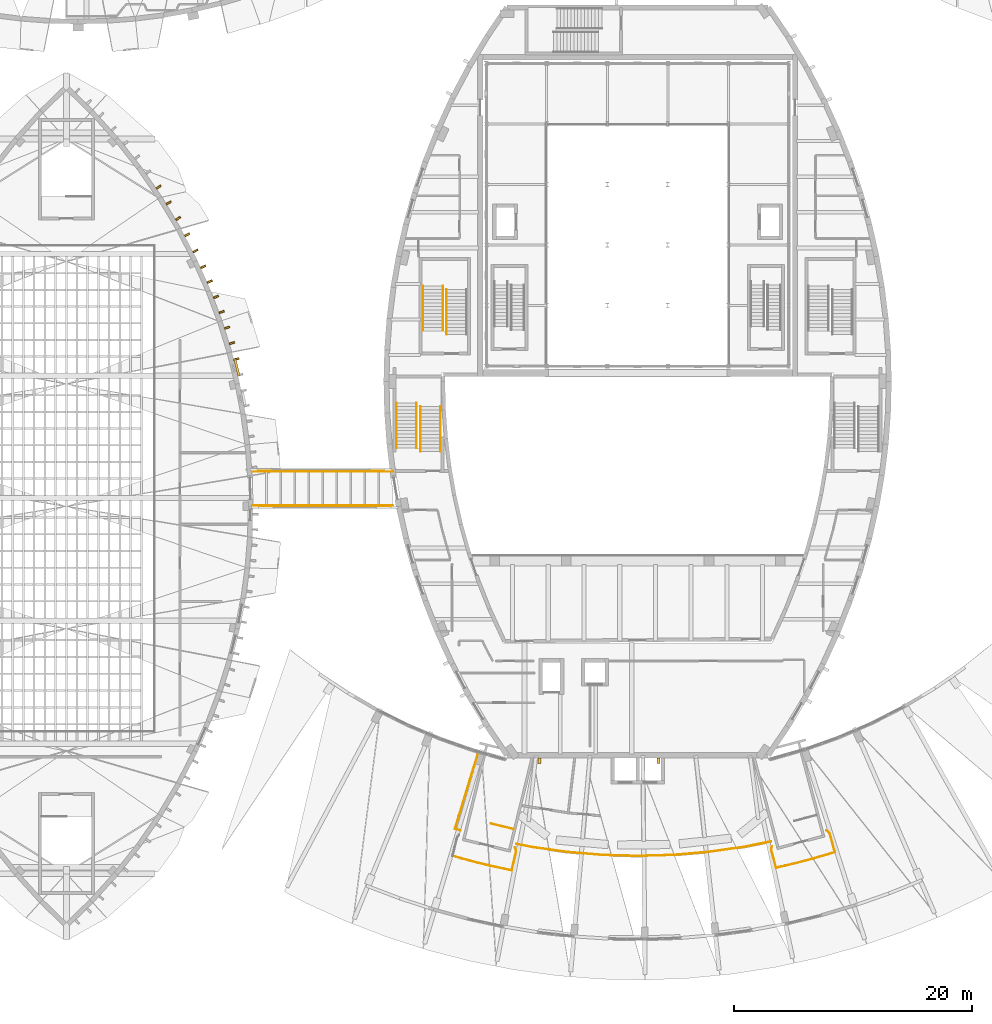
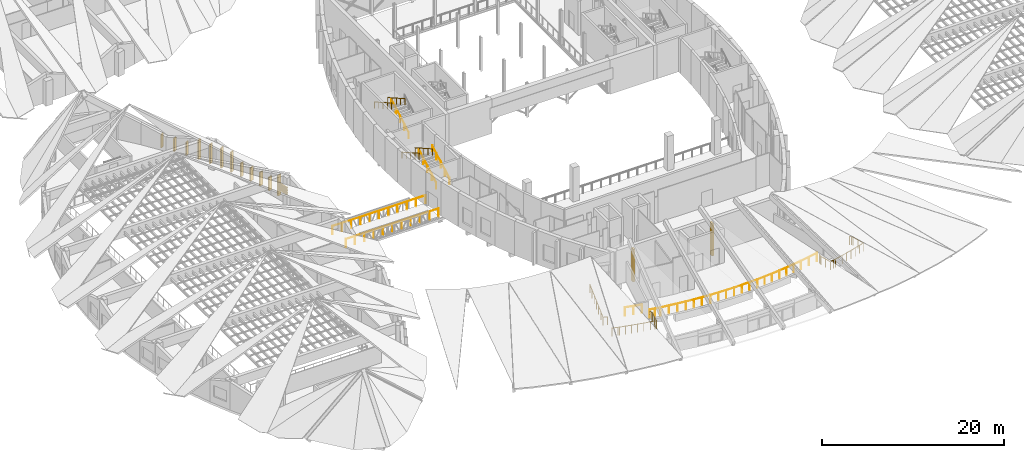
# One storey, part 52 of 56: 19 shading devices, 14 railings.
"""IFC4 building model written with IfcOpenShell, lengths in metres."""

from ifc_helpers import new_model, si_unit, direction, frame, origin, origin_2d, place, context, subcontext, project, spatial, rectangle, circle, extrude, material, layer, layer_set, type_object, element, save


model = new_model("IFC4")

# Units and contexts
model_context = context("Model", 3, precision=1e-05, world=origin(), true_north=direction((0.0, 1.0)))
body_context = subcontext(model_context, "Body", "Model", "MODEL_VIEW")
ifc_project = project(units=[si_unit("LENGTHUNIT", "METRE"), si_unit("AREAUNIT", "SQUARE_METRE"), si_unit("VOLUMEUNIT", "CUBIC_METRE"), si_unit("PLANEANGLEUNIT", "RADIAN"), si_unit("MASSUNIT", "GRAM", prefix="KILO")], contexts=[model_context])

# Site, building, storey
site_placement = place(None, origin())
site = spatial("IfcSite", under=ifc_project, at=site_placement, CompositionType="ELEMENT")
building_placement = place(site_placement, origin())
building = spatial("IfcBuilding", under=site, at=building_placement, Name="Tide Square Theatres", CompositionType="ELEMENT")
storey_placement = place(building_placement, frame((0.0, 0.0, 10.199951171875)))
storey = spatial("IfcBuildingStorey", under=building, at=storey_placement, Name="L02", CompositionType="ELEMENT", Elevation=10.199951171875)

# Shading devices
ifc_material_1 = material(Name="Aluminium 6063-T5", Category="aluminium")
ifc_layer_1 = layer(ifc_material_1, 0.0400390625)
ifc_layer_set_1 = layer_set([ifc_layer_1], Name="Aluminium 6063-T5")
shading_device_type_1 = type_object("IfcShadingDeviceType", Name="Aluminium louvre blade 200", PredefinedType="USERDEFINED", material=ifc_layer_set_1)
for number, where, z_axis, x_axis, name in (
    (1, (50.331787109375, 56.18505859375, 0.880126953125), (0.0, 0.0, 1.0), (-0.243039435287, 0.97001640857, 0.0), "Studio Theatre plant room louvre"),
    (2, (50.331787109375, 56.18505859375, 1.10009765625), (0.0, 0.0, 1.0), (-0.243039435287, 0.97001640857, 0.0), "Studio Theatre plant room louvre"),
    (3, (50.331787109375, 56.18505859375, 1.320068359375), (0.0, 0.0, 1.0), (-0.243039435287, 0.97001640857, 0.0), "Studio Theatre plant room louvre"),
    (4, (50.331787109375, 56.18505859375, 1.5400390625), (0.0, 0.0, 1.0), (-0.243039435287, 0.97001640857, 0.0), "Studio Theatre plant room louvre"),
    (5, (50.331787109375, 56.18505859375, 1.760009765625), (0.0, 0.0, 1.0), (-0.243039435287, 0.97001640857, 0.0), "Studio Theatre plant room louvre"),
):
    element("IfcShadingDevice", number, at=place(storey_placement, frame(where, z_axis=z_axis, x_axis=x_axis)), inside=storey, type_object=shading_device_type_1, Name=name, ObjectType="LOUVRE", PredefinedType="USERDEFINED", context=body_context, shape_type="SweptSolid", body=[
        extrude(rectangle(XDim=1.5, YDim=0.199951171875, at=origin_2d()), origin(), (0.0, 0.0, 1.0), 0.0400390625),
    ])
ifc_material_2 = material(Name="Concrete C40", Category="concrete")
ifc_layer_2 = layer(ifc_material_2, 0.14990234375)
ifc_layer_set_2 = layer_set([ifc_layer_2], Name="Concrete C40")
shading_device_type_2 = type_object("IfcShadingDeviceType", Name="Concrete fin 450", PredefinedType="USERDEFINED", material=ifc_layer_set_2)
for number, where, z_axis, x_axis, name in (
    (6, (75.77587890625, 23.132568359375, 0.0), (0.0, 0.0, 1.0), (1.0, 0.0, 0.0), "Concrete fin"),
    (7, (85.77587890625, 23.132568359375, 0.0), (0.0, 0.0, 1.0), (1.0, 0.0, 0.0), "Concrete fin"),
):
    element("IfcShadingDevice", number, at=place(storey_placement, frame(where, z_axis=z_axis, x_axis=x_axis)), inside=storey, type_object=shading_device_type_2, Name=name, ObjectType="BRISE-SOLEIL FIN", PredefinedType="USERDEFINED", context=body_context, shape_type="SweptSolid", body=[
        extrude(rectangle(XDim=0.25, YDim=0.449951171875, at=origin_2d()), origin(), (0.0, 0.0, 1.0), 4.39990234375),
    ])
shading_device_1_placement = place(storey_placement, frame((50.2880859375, 56.873779296875, 0.0), z_axis=(0.0, 0.0, 1.0), x_axis=(-0.243039435287, 0.97001640857, 0.0)))
element("IfcShadingDevice", 8, at=shading_device_1_placement, inside=storey, type_object=shading_device_type_2, Name="Concrete fin", ObjectType="BRISE-SOLEIL FIN", PredefinedType="USERDEFINED", context=body_context, shape_type="SweptSolid", body=[
    extrude(rectangle(XDim=0.14990234375, YDim=0.449951171875, at=origin_2d()), origin(), (0.0, 0.0, 1.0), 2.72509765625),
])
for number, where, z_axis, x_axis, name in (
    (9, (49.911376953125, 58.214111328125, 0.000244140625), (0.0, 0.0, 1.0), (-0.297924727468, 0.95458936552, 0.0), "Concrete fin"),
    (10, (49.507080078125, 59.509765625, 0.000244140625), (0.0, 0.0, 1.0), (-0.297924727468, 0.95458936552, 0.0), "Concrete fin"),
):
    element("IfcShadingDevice", number, at=place(storey_placement, frame(where, z_axis=z_axis, x_axis=x_axis)), inside=storey, type_object=shading_device_type_2, Name=name, ObjectType="BRISE-SOLEIL FIN", PredefinedType="USERDEFINED", context=body_context, shape_type="SweptSolid", body=[
        extrude(rectangle(XDim=0.14990234375, YDim=0.449951171875, at=origin_2d()), origin(), (0.0, 0.0, 1.0), 1.81982421875),
    ])
for number, where, z_axis, x_axis, name in (
    (11, (49.054443359375, 60.826416015625, 0.0), (0.0, 0.0, 1.0), (-0.351874322832, 0.936047253578, 0.0), "Concrete fin"),
    (12, (48.576904296875, 62.0966796875, 0.0), (0.0, 0.0, 1.0), (-0.351874322832, 0.936047253578, 0.0), "Concrete fin"),
):
    element("IfcShadingDevice", number, at=place(storey_placement, frame(where, z_axis=z_axis, x_axis=x_axis)), inside=storey, type_object=shading_device_type_2, Name=name, ObjectType="BRISE-SOLEIL FIN", PredefinedType="USERDEFINED", context=body_context, shape_type="SweptSolid", body=[
        extrude(rectangle(XDim=0.14990234375, YDim=0.449951171875, at=origin_2d()), origin(), (0.0, 0.0, 1.0), 1.8193359375),
    ])
for number, where, z_axis, x_axis, name in (
    (13, (48.05029296875, 63.385498046875, 0.0), (0.0, 0.0, 1.0), (-0.404630907884, 0.91448008638, 0.0), "Concrete fin"),
    (14, (47.501220703125, 64.626220703125, 0.0), (0.0, 0.0, 1.0), (-0.404630907884, 0.91448008638, 0.0), "Concrete fin"),
):
    element("IfcShadingDevice", number, at=place(storey_placement, frame(where, z_axis=z_axis, x_axis=x_axis)), inside=storey, type_object=shading_device_type_2, Name=name, ObjectType="BRISE-SOLEIL FIN", PredefinedType="USERDEFINED", context=body_context, shape_type="SweptSolid", body=[
        extrude(rectangle(XDim=0.14990234375, YDim=0.449951171875, at=origin_2d()), origin(), (0.0, 0.0, 1.0), 2.71728515625),
    ])
for number, where, z_axis, x_axis, name in (
    (15, (46.85888671875, 65.9599609375, 0.0), (0.0, 0.0, 1.0), (-0.459316325007, 0.888272769808, 0.0), "Concrete fin"),
    (16, (46.156494140625, 67.318359375, 0.0), (0.0, 0.0, 1.0), (-0.459316325007, 0.888272769808, 0.0), "Concrete fin"),
):
    element("IfcShadingDevice", number, at=place(storey_placement, frame(where, z_axis=z_axis, x_axis=x_axis)), inside=storey, type_object=shading_device_type_2, Name=name, ObjectType="BRISE-SOLEIL FIN", PredefinedType="USERDEFINED", context=body_context, shape_type="SweptSolid", body=[
        extrude(rectangle(XDim=0.14990234375, YDim=0.449951171875, at=origin_2d()), origin(), (0.0, 0.0, 1.0), 2.608642578125),
    ])
for number, where, z_axis, x_axis, name in (
    (17, (45.391845703125, 68.687744140625, 0.0), (0.0, 0.0, 1.0), (-0.515397079115, 0.856951486865, 0.0), "Concrete fin"),
    (18, (44.603759765625, 69.997802734375, 0.0), (0.0, 0.0, 1.0), (-0.515397079115, 0.856951486865, 0.0), "Concrete fin"),
):
    element("IfcShadingDevice", number, at=place(storey_placement, frame(where, z_axis=z_axis, x_axis=x_axis)), inside=storey, type_object=shading_device_type_2, Name=name, ObjectType="BRISE-SOLEIL FIN", PredefinedType="USERDEFINED", context=body_context, shape_type="SweptSolid", body=[
        extrude(rectangle(XDim=0.14990234375, YDim=0.449951171875, at=origin_2d()), origin(), (0.0, 0.0, 1.0), 1.74658203125),
    ])
shading_device_2_placement = place(storey_placement, frame((43.752685546875, 71.315185546875, 0.0), z_axis=(0.0, 0.0, 1.0), x_axis=(-0.569365615032, 0.822084421711, 0.0)))
element("IfcShadingDevice", 19, at=shading_device_2_placement, inside=storey, type_object=shading_device_type_2, Name="Concrete fin", ObjectType="BRISE-SOLEIL FIN", PredefinedType="USERDEFINED", context=body_context, shape_type="SweptSolid", body=[
    extrude(rectangle(XDim=0.14990234375, YDim=0.449951171875, at=origin_2d()), origin(), (0.0, 0.0, 1.0), 1.767578125),
])

# Railings
ifc_material_3 = material(Name="Painted steel", Category="steel")
railing_type_1 = type_object("IfcRailingType", Name="Steel guard 1100", PredefinedType="GUARDRAIL", material=ifc_material_3)
for number, where, name in (
    (20, (51.652099609375, 44.550048828125, 0.0), "Bridge BR-W2 guard"),
    (21, (51.652099609375, 47.449951171875, 0.0), "Bridge BR-W2 guard"),
):
    element("IfcRailing", number, at=place(storey_placement, frame(where)), inside=storey, type_object=railing_type_1, Name=name, PredefinedType="GUARDRAIL", context=body_context, shape_type="SweptSolid", body=[
        extrude(circle(Radius=0.02392578125, at=origin_2d()), frame((0.0, 0.0, 1.076171875), z_axis=(1.0, 0.0, 0.0), x_axis=(0.0, 1.0, 0.0)), (0.0, 0.0, 1.0), 11.7841796875),
        extrude(circle(Radius=0.02099609375, at=origin_2d()), origin(), (0.0, 0.0, 1.0), 1.052001953125),
        extrude(circle(Radius=0.02099609375, at=origin_2d()), frame((1.178466796875, 0.0, 0.0)), (0.0, 0.0, 1.0), 1.052001953125),
        extrude(circle(Radius=0.02099609375, at=origin_2d()), frame((2.35693359375, 0.0, 0.0)), (0.0, 0.0, 1.0), 1.052001953125),
        extrude(circle(Radius=0.02099609375, at=origin_2d()), frame((3.53515625, 0.0, 0.0)), (0.0, 0.0, 1.0), 1.052001953125),
        extrude(circle(Radius=0.02099609375, at=origin_2d()), frame((4.713623046875, 0.0, 0.0)), (0.0, 0.0, 1.0), 1.052001953125),
        extrude(circle(Radius=0.02099609375, at=origin_2d()), frame((5.89208984375, 0.0, 0.0)), (0.0, 0.0, 1.0), 1.052001953125),
        extrude(circle(Radius=0.02099609375, at=origin_2d()), frame((7.070556640625, 0.0, 0.0)), (0.0, 0.0, 1.0), 1.052001953125),
        extrude(circle(Radius=0.02099609375, at=origin_2d()), frame((8.2490234375, 0.0, 0.0)), (0.0, 0.0, 1.0), 1.052001953125),
        extrude(circle(Radius=0.02099609375, at=origin_2d()), frame((9.42724609375, 0.0, 0.0)), (0.0, 0.0, 1.0), 1.052001953125),
        extrude(circle(Radius=0.02099609375, at=origin_2d()), frame((10.605712890625, 0.0, 0.0)), (0.0, 0.0, 1.0), 1.052001953125),
        extrude(circle(Radius=0.02099609375, at=origin_2d()), frame((11.7841796875, 0.0, 0.0)), (0.0, 0.0, 1.0), 1.052001953125),
    ])
railing_1_placement = place(storey_placement, frame((73.572509765625, 17.37890625, 0.0)))
element("IfcRailing", 22, at=railing_1_placement, inside=storey, type_object=railing_type_1, Name="L02 F3 top well guard 1", PredefinedType="GUARDRAIL", context=body_context, shape_type="SweptSolid", body=[
    extrude(circle(Radius=0.02392578125, at=origin_2d()), frame((0.0, 0.0, 1.076171875), z_axis=(-0.971475328567, 0.237140645999, 0.0), x_axis=(-0.237140645999, -0.971475328567, 0.0)), (0.0, 0.0, 1.0), 1.949951171875),
    extrude(circle(Radius=0.02099609375, at=origin_2d()), origin(), (0.0, 0.0, 1.0), 1.052001953125),
    extrude(circle(Radius=0.02099609375, at=origin_2d()), frame((-0.947265625, 0.231201171875, 0.0)), (0.0, 0.0, 1.0), 1.052001953125),
    extrude(circle(Radius=0.02099609375, at=origin_2d()), frame((-1.894287109375, 0.46240234375, 0.0)), (0.0, 0.0, 1.0), 1.052001953125),
])
railing_2_placement = place(storey_placement, frame((69.125732421875, 17.259521484375, 0.0)))
element("IfcRailing", 23, at=railing_2_placement, inside=storey, type_object=railing_type_1, Name="Gallery guard", PredefinedType="GUARDRAIL", context=body_context, shape_type="SweptSolid", body=[
    extrude(circle(Radius=0.02392578125, at=origin_2d()), frame((0.0, 0.0, 1.076171875), z_axis=(-0.952204396097, 0.30546159833, 0.0), x_axis=(-0.30546159833, -0.952204396097, 0.0)), (0.0, 0.0, 1.0), 0.49072265625),
    extrude(circle(Radius=0.02392578125, at=origin_2d()), frame((-0.46728515625, 0.14990234375, 1.076171875), z_axis=(0.292359435817, 0.956308506858, 0.0), x_axis=(-0.956308506858, 0.292359435817, 0.0)), (0.0, 0.0, 1.0), 6.470947265625),
    extrude(circle(Radius=0.02099609375, at=origin_2d()), origin(), (0.0, 0.0, 1.0), 1.052001953125),
    extrude(circle(Radius=0.02099609375, at=origin_2d()), frame((-0.46728515625, 0.14990234375, 0.0)), (0.0, 0.0, 1.0), 1.052001953125),
    extrude(circle(Radius=0.02099609375, at=origin_2d()), frame((-0.15185546875, 1.18115234375, 0.0)), (0.0, 0.0, 1.0), 1.052001953125),
    extrude(circle(Radius=0.02099609375, at=origin_2d()), frame((0.163330078125, 2.212646484375, 0.0)), (0.0, 0.0, 1.0), 1.052001953125),
    extrude(circle(Radius=0.02099609375, at=origin_2d()), frame((0.478515625, 3.244140625, 0.0)), (0.0, 0.0, 1.0), 1.052001953125),
    extrude(circle(Radius=0.02099609375, at=origin_2d()), frame((0.7939453125, 4.275390625, 0.0)), (0.0, 0.0, 1.0), 1.052001953125),
    extrude(circle(Radius=0.02099609375, at=origin_2d()), frame((1.109375, 5.306640625, 0.0)), (0.0, 0.0, 1.0), 1.052001953125),
    extrude(circle(Radius=0.02099609375, at=origin_2d()), frame((1.424560546875, 6.338134765625, 0.0)), (0.0, 0.0, 1.0), 1.052001953125),
])
railing_3_placement = place(storey_placement, frame((99.87841796875, 17.26611328125, 0.0)))
element("IfcRailing", 24, at=railing_3_placement, inside=storey, type_object=railing_type_1, Name="Gallery guard", PredefinedType="GUARDRAIL", context=body_context, shape_type="SweptSolid", body=[
    extrude(circle(Radius=0.02392578125, at=origin_2d()), frame((0.0, 0.0, 1.076171875), z_axis=(0.790208564222, -0.6128380088, 0.0), x_axis=(0.6128380088, 0.790208564222, 0.0)), (0.0, 0.0, 1.0), 0.21484375),
    extrude(circle(Radius=0.02392578125, at=origin_2d()), frame((0.169677734375, -0.131591796875, 1.076171875), z_axis=(0.566788564577, -0.82386329149, 0.0), x_axis=(0.82386329149, 0.566788564577, 0.0)), (0.0, 0.0, 1.0), 0.199462890625),
    extrude(circle(Radius=0.02392578125, at=origin_2d()), frame((0.28271484375, -0.2958984375, 1.076171875), z_axis=(0.264345324636, -0.964428094439, 0.0), x_axis=(0.964428094439, 0.264345324636, 0.0)), (0.0, 0.0, 1.0), 1.5810546875),
    extrude(circle(Radius=0.02392578125, at=origin_2d()), frame((0.70068359375, -1.82080078125, 1.076171875), z_axis=(-0.953303790925, -0.30201304973, 0.0), x_axis=(0.30201304973, -0.953303790925, 0.0)), (0.0, 0.0, 1.0), 0.609619140625),
    extrude(circle(Radius=0.02392578125, at=origin_2d()), frame((0.11962890625, -2.0048828125, 1.076171875), z_axis=(-0.960433484216, -0.278509465541, 0.0), x_axis=(0.278509465541, -0.960433484216, 0.0)), (0.0, 0.0, 1.0), 1.3525390625),
    extrude(circle(Radius=0.02392578125, at=origin_2d()), frame((-1.179443359375, -2.381591796875, 1.076171875), z_axis=(-0.966973920547, -0.25487533616, 0.0), x_axis=(0.25487533616, -0.966973920547, 0.0)), (0.0, 0.0, 1.0), 1.3525390625),
    extrude(circle(Radius=0.02392578125, at=origin_2d()), frame((-2.4873046875, -2.726318359375, 1.076171875), z_axis=(-0.972957377784, -0.230984720309, 0.0), x_axis=(0.230984720309, -0.972957377784, 0.0)), (0.0, 0.0, 1.0), 1.02099609375),
    extrude(circle(Radius=0.02392578125, at=origin_2d()), frame((-3.480712890625, -2.962158203125, 1.076171875), z_axis=(-0.972893070053, -0.231255430732, 0.0), x_axis=(0.231255430732, -0.972893070053, 0.0)), (0.0, 0.0, 1.0), 0.33154296875),
    extrude(circle(Radius=0.02392578125, at=origin_2d()), frame((-3.80322265625, -3.038818359375, 1.076171875), z_axis=(-0.978368928398, -0.206867687048, 0.0), x_axis=(0.206867687048, -0.978368928398, 0.0)), (0.0, 0.0, 1.0), 0.44482421875),
    extrude(circle(Radius=0.02392578125, at=origin_2d()), frame((-4.238525390625, -3.130859375, 1.076171875), z_axis=(-0.256338109201, 0.966587178568, 0.0), x_axis=(-0.966587178568, -0.256338109201, 0.0)), (0.0, 0.0, 1.0), 1.44580078125),
    extrude(circle(Radius=0.02392578125, at=origin_2d()), frame((-4.609130859375, -1.7333984375, 1.076171875), z_axis=(-0.112152025008, 0.993691060283, 0.0), x_axis=(-0.993691060283, -0.112152025008, 0.0)), (0.0, 0.0, 1.0), 0.202392578125),
    extrude(circle(Radius=0.02392578125, at=origin_2d()), frame((-4.6318359375, -1.5322265625, 1.076171875), z_axis=(0.181037892988, 0.983476121369, 0.0), x_axis=(-0.983476121369, 0.181037892988, 0.0)), (0.0, 0.0, 1.0), 0.19970703125),
    extrude(circle(Radius=0.02099609375, at=origin_2d()), origin(), (0.0, 0.0, 1.0), 1.052001953125),
    extrude(circle(Radius=0.02099609375, at=origin_2d()), frame((0.169677734375, -0.131591796875, 0.0)), (0.0, 0.0, 1.0), 1.052001953125),
    extrude(circle(Radius=0.02099609375, at=origin_2d()), frame((0.28271484375, -0.2958984375, 0.0)), (0.0, 0.0, 1.0), 1.052001953125),
    extrude(circle(Radius=0.02099609375, at=origin_2d()), frame((0.49169921875, -1.058349609375, 0.0)), (0.0, 0.0, 1.0), 1.052001953125),
    extrude(circle(Radius=0.02099609375, at=origin_2d()), frame((0.70068359375, -1.82080078125, 0.0)), (0.0, 0.0, 1.0), 1.052001953125),
    extrude(circle(Radius=0.02099609375, at=origin_2d()), frame((0.11962890625, -2.0048828125, 0.0)), (0.0, 0.0, 1.0), 1.052001953125),
    extrude(circle(Radius=0.02099609375, at=origin_2d()), frame((-0.52978515625, -2.193359375, 0.0)), (0.0, 0.0, 1.0), 1.052001953125),
    extrude(circle(Radius=0.02099609375, at=origin_2d()), frame((-1.179443359375, -2.381591796875, 0.0)), (0.0, 0.0, 1.0), 1.052001953125),
    extrude(circle(Radius=0.02099609375, at=origin_2d()), frame((-1.83349609375, -2.553955078125, 0.0)), (0.0, 0.0, 1.0), 1.052001953125),
    extrude(circle(Radius=0.02099609375, at=origin_2d()), frame((-2.4873046875, -2.726318359375, 0.0)), (0.0, 0.0, 1.0), 1.052001953125),
    extrude(circle(Radius=0.02099609375, at=origin_2d()), frame((-3.480712890625, -2.962158203125, 0.0)), (0.0, 0.0, 1.0), 1.052001953125),
    extrude(circle(Radius=0.02099609375, at=origin_2d()), frame((-3.80322265625, -3.038818359375, 0.0)), (0.0, 0.0, 1.0), 1.052001953125),
    extrude(circle(Radius=0.02099609375, at=origin_2d()), frame((-4.238525390625, -3.130859375, 0.0)), (0.0, 0.0, 1.0), 1.052001953125),
    extrude(circle(Radius=0.02099609375, at=origin_2d()), frame((-4.423828125, -2.43212890625, 0.0)), (0.0, 0.0, 1.0), 1.052001953125),
    extrude(circle(Radius=0.02099609375, at=origin_2d()), frame((-4.609130859375, -1.7333984375, 0.0)), (0.0, 0.0, 1.0), 1.052001953125),
    extrude(circle(Radius=0.02099609375, at=origin_2d()), frame((-4.6318359375, -1.5322265625, 0.0)), (0.0, 0.0, 1.0), 1.052001953125),
    extrude(circle(Radius=0.02099609375, at=origin_2d()), frame((-4.595703125, -1.3359375, 0.0)), (0.0, 0.0, 1.0), 1.052001953125),
])
railing_4_placement = place(storey_placement, frame((95.198974609375, 16.334228515625, 0.0)))
element("IfcRailing", 25, at=railing_4_placement, inside=storey, type_object=railing_type_1, Name="Gallery guard", PredefinedType="GUARDRAIL", context=body_context, shape_type="SweptSolid", body=[
    extrude(circle(Radius=0.02392578125, at=origin_2d()), frame((0.0, 0.0, 1.076171875), z_axis=(-0.980552500113, -0.196256960441, 0.0), x_axis=(0.196256960441, -0.980552500113, 0.0)), (0.0, 0.0, 1.0), 2.333740234375),
    extrude(circle(Radius=0.02392578125, at=origin_2d()), frame((-2.288330078125, -0.4580078125, 1.076171875), z_axis=(-0.990060457571, -0.140642420177, 0.0), x_axis=(0.140642420177, -0.990060457571, 0.0)), (0.0, 0.0, 1.0), 2.98388671875),
    extrude(circle(Radius=0.02392578125, at=origin_2d()), frame((-5.24267578125, -0.877685546875, 1.076171875), z_axis=(-0.996415341982, -0.084595899796, 0.0), x_axis=(0.084595899796, -0.996415341982, 0.0)), (0.0, 0.0, 1.0), 2.984130859375),
    extrude(circle(Radius=0.02392578125, at=origin_2d()), frame((-8.216064453125, -1.130126953125, 1.076171875), z_axis=(-0.999603878388, -0.028144028005, 0.0), x_axis=(0.028144028005, -0.999603878388, 0.0)), (0.0, 0.0, 1.0), 2.984130859375),
    extrude(circle(Radius=0.02392578125, at=origin_2d()), frame((-11.198974609375, -1.214111328125, 1.076171875), z_axis=(-0.999603878388, 0.028144028005, 0.0), x_axis=(-0.028144028005, -0.999603878388, 0.0)), (0.0, 0.0, 1.0), 2.984130859375),
    extrude(circle(Radius=0.02392578125, at=origin_2d()), frame((-14.181884765625, -1.130126953125, 1.076171875), z_axis=(-0.996415341982, 0.084595899796, 0.0), x_axis=(-0.084595899796, -0.996415341982, 0.0)), (0.0, 0.0, 1.0), 2.984130859375),
    extrude(circle(Radius=0.02392578125, at=origin_2d()), frame((-17.1552734375, -0.877685546875, 1.076171875), z_axis=(-0.990060457571, 0.140642420177, 0.0), x_axis=(-0.140642420177, -0.990060457571, 0.0)), (0.0, 0.0, 1.0), 2.98388671875),
    extrude(circle(Radius=0.02392578125, at=origin_2d()), frame((-20.109619140625, -0.4580078125, 1.076171875), z_axis=(-0.980544150243, 0.196298674027, 0.0), x_axis=(-0.196298674027, -0.980544150243, 0.0)), (0.0, 0.0, 1.0), 1.285888671875),
    extrude(circle(Radius=0.02099609375, at=origin_2d()), origin(), (0.0, 0.0, 1.0), 1.052001953125),
    extrude(circle(Radius=0.02099609375, at=origin_2d()), frame((-1.14404296875, -0.22900390625, 0.0)), (0.0, 0.0, 1.0), 1.052001953125),
    extrude(circle(Radius=0.02099609375, at=origin_2d()), frame((-2.288330078125, -0.4580078125, 0.0)), (0.0, 0.0, 1.0), 1.052001953125),
    extrude(circle(Radius=0.02099609375, at=origin_2d()), frame((-3.273193359375, -0.597900390625, 0.0)), (0.0, 0.0, 1.0), 1.052001953125),
    extrude(circle(Radius=0.02099609375, at=origin_2d()), frame((-4.2578125, -0.73779296875, 0.0)), (0.0, 0.0, 1.0), 1.052001953125),
    extrude(circle(Radius=0.02099609375, at=origin_2d()), frame((-5.24267578125, -0.877685546875, 0.0)), (0.0, 0.0, 1.0), 1.052001953125),
    extrude(circle(Radius=0.02099609375, at=origin_2d()), frame((-6.23388671875, -0.9619140625, 0.0)), (0.0, 0.0, 1.0), 1.052001953125),
    extrude(circle(Radius=0.02099609375, at=origin_2d()), frame((-7.224853515625, -1.0458984375, 0.0)), (0.0, 0.0, 1.0), 1.052001953125),
    extrude(circle(Radius=0.02099609375, at=origin_2d()), frame((-8.216064453125, -1.130126953125, 0.0)), (0.0, 0.0, 1.0), 1.052001953125),
    extrude(circle(Radius=0.02099609375, at=origin_2d()), frame((-9.21044921875, -1.158203125, 0.0)), (0.0, 0.0, 1.0), 1.052001953125),
    extrude(circle(Radius=0.02099609375, at=origin_2d()), frame((-10.20458984375, -1.18603515625, 0.0)), (0.0, 0.0, 1.0), 1.052001953125),
    extrude(circle(Radius=0.02099609375, at=origin_2d()), frame((-11.198974609375, -1.214111328125, 0.0)), (0.0, 0.0, 1.0), 1.052001953125),
    extrude(circle(Radius=0.02099609375, at=origin_2d()), frame((-12.193359375, -1.18603515625, 0.0)), (0.0, 0.0, 1.0), 1.052001953125),
    extrude(circle(Radius=0.02099609375, at=origin_2d()), frame((-13.1875, -1.158203125, 0.0)), (0.0, 0.0, 1.0), 1.052001953125),
    extrude(circle(Radius=0.02099609375, at=origin_2d()), frame((-14.181884765625, -1.130126953125, 0.0)), (0.0, 0.0, 1.0), 1.052001953125),
    extrude(circle(Radius=0.02099609375, at=origin_2d()), frame((-15.173095703125, -1.0458984375, 0.0)), (0.0, 0.0, 1.0), 1.052001953125),
    extrude(circle(Radius=0.02099609375, at=origin_2d()), frame((-16.1640625, -0.9619140625, 0.0)), (0.0, 0.0, 1.0), 1.052001953125),
    extrude(circle(Radius=0.02099609375, at=origin_2d()), frame((-17.1552734375, -0.877685546875, 0.0)), (0.0, 0.0, 1.0), 1.052001953125),
    extrude(circle(Radius=0.02099609375, at=origin_2d()), frame((-18.14013671875, -0.73779296875, 0.0)), (0.0, 0.0, 1.0), 1.052001953125),
    extrude(circle(Radius=0.02099609375, at=origin_2d()), frame((-19.124755859375, -0.597900390625, 0.0)), (0.0, 0.0, 1.0), 1.052001953125),
    extrude(circle(Radius=0.02099609375, at=origin_2d()), frame((-20.109619140625, -0.4580078125, 0.0)), (0.0, 0.0, 1.0), 1.052001953125),
    extrude(circle(Radius=0.02099609375, at=origin_2d()), frame((-20.740234375, -0.331787109375, 0.0)), (0.0, 0.0, 1.0), 1.052001953125),
    extrude(circle(Radius=0.02099609375, at=origin_2d()), frame((-21.37060546875, -0.20556640625, 0.0)), (0.0, 0.0, 1.0), 1.052001953125),
])
railing_5_placement = place(storey_placement, frame((73.6826171875, 15.85009765625, 0.0)))
element("IfcRailing", 26, at=railing_5_placement, inside=storey, type_object=railing_type_1, Name="Gallery guard", PredefinedType="GUARDRAIL", context=body_context, shape_type="SweptSolid", body=[
    extrude(circle(Radius=0.02392578125, at=origin_2d()), frame((0.0, 0.0, 1.076171875), z_axis=(0.400639702796, -0.91623568395, 0.0), x_axis=(0.91623568395, 0.400639702796, 0.0)), (0.0, 0.0, 1.0), 0.214599609375),
    extrude(circle(Radius=0.02392578125, at=origin_2d()), frame((0.0859375, -0.196533203125, 1.076171875), z_axis=(0.103984268234, -0.994578942045, 0.0), x_axis=(0.994578942045, 0.103984268234, 0.0)), (0.0, 0.0, 1.0), 0.199462890625),
    extrude(circle(Radius=0.02392578125, at=origin_2d()), frame((0.106689453125, -0.39501953125, 1.076171875), z_axis=(-0.2291252744, -0.973396942994, 0.0), x_axis=(0.973396942994, -0.2291252744, 0.0)), (0.0, 0.0, 1.0), 1.58349609375),
    extrude(circle(Radius=0.02392578125, at=origin_2d()), frame((-0.256103515625, -1.936279296875, 1.076171875), z_axis=(-0.983084965675, 0.183150075797, 0.0), x_axis=(-0.183150075797, -0.983084965675, 0.0)), (0.0, 0.0, 1.0), 0.181396484375),
    extrude(circle(Radius=0.02392578125, at=origin_2d()), frame((-0.434326171875, -1.903076171875, 1.076171875), z_axis=(-0.978843235559, 0.204611632613, 0.0), x_axis=(-0.204611632613, -0.978843235559, 0.0)), (0.0, 0.0, 1.0), 0.51904296875),
    extrude(circle(Radius=0.02392578125, at=origin_2d()), frame((-0.9423828125, -1.796875, 1.076171875), z_axis=(-0.97796494635, 0.208769163697, 0.0), x_axis=(-0.208769163697, -0.97796494635, 0.0)), (0.0, 0.0, 1.0), 0.833740234375),
    extrude(circle(Radius=0.02392578125, at=origin_2d()), frame((-1.7578125, -1.622802734375, 1.076171875), z_axis=(-0.972941623203, 0.231051071929, 0.0), x_axis=(-0.231051071929, -0.972941623203, 0.0)), (0.0, 0.0, 1.0), 1.3525390625),
    extrude(circle(Radius=0.02392578125, at=origin_2d()), frame((-3.07373046875, -1.310302734375, 1.076171875), z_axis=(-0.966973920547, 0.25487533616, 0.0), x_axis=(-0.25487533616, -0.966973920547, 0.0)), (0.0, 0.0, 1.0), 1.3525390625),
    extrude(circle(Radius=0.02392578125, at=origin_2d()), frame((-4.381591796875, -0.965576171875, 1.076171875), z_axis=(-0.962430626454, 0.271527695204, 0.0), x_axis=(-0.271527695204, -0.962430626454, 0.0)), (0.0, 0.0, 1.0), 0.171630859375),
    extrude(circle(Radius=0.02392578125, at=origin_2d()), frame((-4.546875, -0.9189453125, 1.076171875), z_axis=(-0.959890702822, 0.280374461456, 0.0), x_axis=(-0.280374461456, -0.959890702822, 0.0)), (0.0, 0.0, 1.0), 0.700927734375),
    extrude(circle(Radius=0.02099609375, at=origin_2d()), origin(), (0.0, 0.0, 1.0), 1.052001953125),
    extrude(circle(Radius=0.02099609375, at=origin_2d()), frame((0.0859375, -0.196533203125, 0.0)), (0.0, 0.0, 1.0), 1.052001953125),
    extrude(circle(Radius=0.02099609375, at=origin_2d()), frame((0.106689453125, -0.39501953125, 0.0)), (0.0, 0.0, 1.0), 1.052001953125),
    extrude(circle(Radius=0.02099609375, at=origin_2d()), frame((-0.07470703125, -1.16552734375, 0.0)), (0.0, 0.0, 1.0), 1.052001953125),
    extrude(circle(Radius=0.02099609375, at=origin_2d()), frame((-0.256103515625, -1.936279296875, 0.0)), (0.0, 0.0, 1.0), 1.052001953125),
    extrude(circle(Radius=0.02099609375, at=origin_2d()), frame((-0.434326171875, -1.903076171875, 0.0)), (0.0, 0.0, 1.0), 1.052001953125),
    extrude(circle(Radius=0.02099609375, at=origin_2d()), frame((-0.9423828125, -1.796875, 0.0)), (0.0, 0.0, 1.0), 1.052001953125),
    extrude(circle(Radius=0.02099609375, at=origin_2d()), frame((-1.7578125, -1.622802734375, 0.0)), (0.0, 0.0, 1.0), 1.052001953125),
    extrude(circle(Radius=0.02099609375, at=origin_2d()), frame((-2.415771484375, -1.466552734375, 0.0)), (0.0, 0.0, 1.0), 1.052001953125),
    extrude(circle(Radius=0.02099609375, at=origin_2d()), frame((-3.07373046875, -1.310302734375, 0.0)), (0.0, 0.0, 1.0), 1.052001953125),
    extrude(circle(Radius=0.02099609375, at=origin_2d()), frame((-3.7275390625, -1.137939453125, 0.0)), (0.0, 0.0, 1.0), 1.052001953125),
    extrude(circle(Radius=0.02099609375, at=origin_2d()), frame((-4.381591796875, -0.965576171875, 0.0)), (0.0, 0.0, 1.0), 1.052001953125),
    extrude(circle(Radius=0.02099609375, at=origin_2d()), frame((-4.546875, -0.9189453125, 0.0)), (0.0, 0.0, 1.0), 1.052001953125),
    extrude(circle(Radius=0.02099609375, at=origin_2d()), frame((-5.2197265625, -0.722412109375, 0.0)), (0.0, 0.0, 1.0), 1.052001953125),
])
ifc_material_4 = material(Name="Painted steel", Category="steel")
railing_type_2 = type_object("IfcRailingType", Name="Steel handrail 850", PredefinedType="HANDRAIL", material=ifc_material_4)
railing_6_placement = place(storey_placement, frame((67.9599609375, 58.949951171875, 0.164306640625)))
element("IfcRailing", 27, at=railing_6_placement, inside=storey, type_object=railing_type_2, Name="Stair handrail 1", PredefinedType="HANDRAIL", context=body_context, shape_type="SweptSolid", body=[
    extrude(circle(Radius=0.02490234375, at=origin_2d()), frame((0.0, 0.0, 0.8251953125), z_axis=(0.0, 0.870081794457, 0.492907365491), x_axis=(-1.0, 0.0, 0.0)), (0.0, 0.0, 1.0), 4.3330078125),
    extrude(circle(Radius=0.02001953125, at=origin_2d()), origin(), (0.0, 0.0, 1.0), 0.800048828125),
    extrude(circle(Radius=0.02001953125, at=origin_2d()), frame((0.0, 0.9423828125, 0.533935546875)), (0.0, 0.0, 1.0), 0.800048828125),
    extrude(circle(Radius=0.02001953125, at=origin_2d()), frame((0.0, 1.885009765625, 1.06787109375)), (0.0, 0.0, 1.0), 0.800048828125),
    extrude(circle(Radius=0.02001953125, at=origin_2d()), frame((0.0, 2.82763671875, 1.601806640625)), (0.0, 0.0, 1.0), 0.800048828125),
    extrude(circle(Radius=0.02001953125, at=origin_2d()), frame((0.0, 3.77001953125, 2.1357421875)), (0.0, 0.0, 1.0), 0.800048828125),
])
for number, where, name in (
    (28, (67.639892578125, 63.0244140625, 2.46435546875), "Stair handrail 1"),
    (29, (65.9599609375, 63.0244140625, 2.46435546875), "Stair handrail 1"),
):
    element("IfcRailing", number, at=place(storey_placement, frame(where)), inside=storey, type_object=railing_type_2, Name=name, PredefinedType="HANDRAIL", context=body_context, shape_type="SweptSolid", body=[
        extrude(circle(Radius=0.02490234375, at=origin_2d()), frame((0.0, 0.0, 0.8251953125), z_axis=(0.0, -0.870081794457, 0.492907365491), x_axis=(1.0, 0.0, 0.0)), (0.0, 0.0, 1.0), 4.3330078125),
        extrude(circle(Radius=0.02001953125, at=origin_2d()), origin(), (0.0, 0.0, 1.0), 0.800048828125),
        extrude(circle(Radius=0.02001953125, at=origin_2d()), frame((0.0, -0.9423828125, 0.533935546875)), (0.0, 0.0, 1.0), 0.800048828125),
        extrude(circle(Radius=0.02001953125, at=origin_2d()), frame((0.0, -1.885009765625, 1.06787109375)), (0.0, 0.0, 1.0), 0.800048828125),
        extrude(circle(Radius=0.02001953125, at=origin_2d()), frame((0.0, -2.82763671875, 1.601806640625)), (0.0, 0.0, 1.0), 0.800048828125),
        extrude(circle(Radius=0.02001953125, at=origin_2d()), frame((0.0, -3.77001953125, 2.1357421875)), (0.0, 0.0, 1.0), 0.800048828125),
    ])
for number, where, name in (
    (30, (67.43994140625, 49.10009765625, 0.164306640625), "Stair handrail 3"),
    (31, (65.760009765625, 49.10009765625, 0.164306640625), "Stair handrail 3"),
):
    element("IfcRailing", number, at=place(storey_placement, frame(where)), inside=storey, type_object=railing_type_2, Name=name, PredefinedType="HANDRAIL", context=body_context, shape_type="SweptSolid", body=[
        extrude(circle(Radius=0.02490234375, at=origin_2d()), frame((0.0, 0.0, 0.8251953125), z_axis=(0.0, 0.870081794457, 0.492907365491), x_axis=(-1.0, 0.0, 0.0)), (0.0, 0.0, 1.0), 4.3330078125),
        extrude(circle(Radius=0.02001953125, at=origin_2d()), origin(), (0.0, 0.0, 1.0), 0.800048828125),
        extrude(circle(Radius=0.02001953125, at=origin_2d()), frame((0.0, 0.9423828125, 0.533935546875)), (0.0, 0.0, 1.0), 0.800048828125),
        extrude(circle(Radius=0.02001953125, at=origin_2d()), frame((0.0, 1.885009765625, 1.06787109375)), (0.0, 0.0, 1.0), 0.800048828125),
        extrude(circle(Radius=0.02001953125, at=origin_2d()), frame((0.0, 2.82763671875, 1.601806640625)), (0.0, 0.0, 1.0), 0.800048828125),
        extrude(circle(Radius=0.02001953125, at=origin_2d()), frame((0.0, 3.77001953125, 2.1357421875)), (0.0, 0.0, 1.0), 0.800048828125),
    ])
for number, where, name in (
    (32, (65.43994140625, 53.17431640625, 2.46435546875), "Stair handrail 3"),
    (33, (63.760009765625, 53.17431640625, 2.46435546875), "Stair handrail 3"),
):
    element("IfcRailing", number, at=place(storey_placement, frame(where)), inside=storey, type_object=railing_type_2, Name=name, PredefinedType="HANDRAIL", context=body_context, shape_type="SweptSolid", body=[
        extrude(circle(Radius=0.02490234375, at=origin_2d()), frame((0.0, 0.0, 0.8251953125), z_axis=(0.0, -0.870081794457, 0.492907365491), x_axis=(1.0, 0.0, 0.0)), (0.0, 0.0, 1.0), 4.3330078125),
        extrude(circle(Radius=0.02001953125, at=origin_2d()), origin(), (0.0, 0.0, 1.0), 0.800048828125),
        extrude(circle(Radius=0.02001953125, at=origin_2d()), frame((0.0, -0.9423828125, 0.533935546875)), (0.0, 0.0, 1.0), 0.800048828125),
        extrude(circle(Radius=0.02001953125, at=origin_2d()), frame((0.0, -1.885009765625, 1.06787109375)), (0.0, 0.0, 1.0), 0.800048828125),
        extrude(circle(Radius=0.02001953125, at=origin_2d()), frame((0.0, -2.82763671875, 1.601806640625)), (0.0, 0.0, 1.0), 0.800048828125),
        extrude(circle(Radius=0.02001953125, at=origin_2d()), frame((0.0, -3.77001953125, 2.1357421875)), (0.0, 0.0, 1.0), 0.800048828125),
    ])

save(model, "model.ifc")
